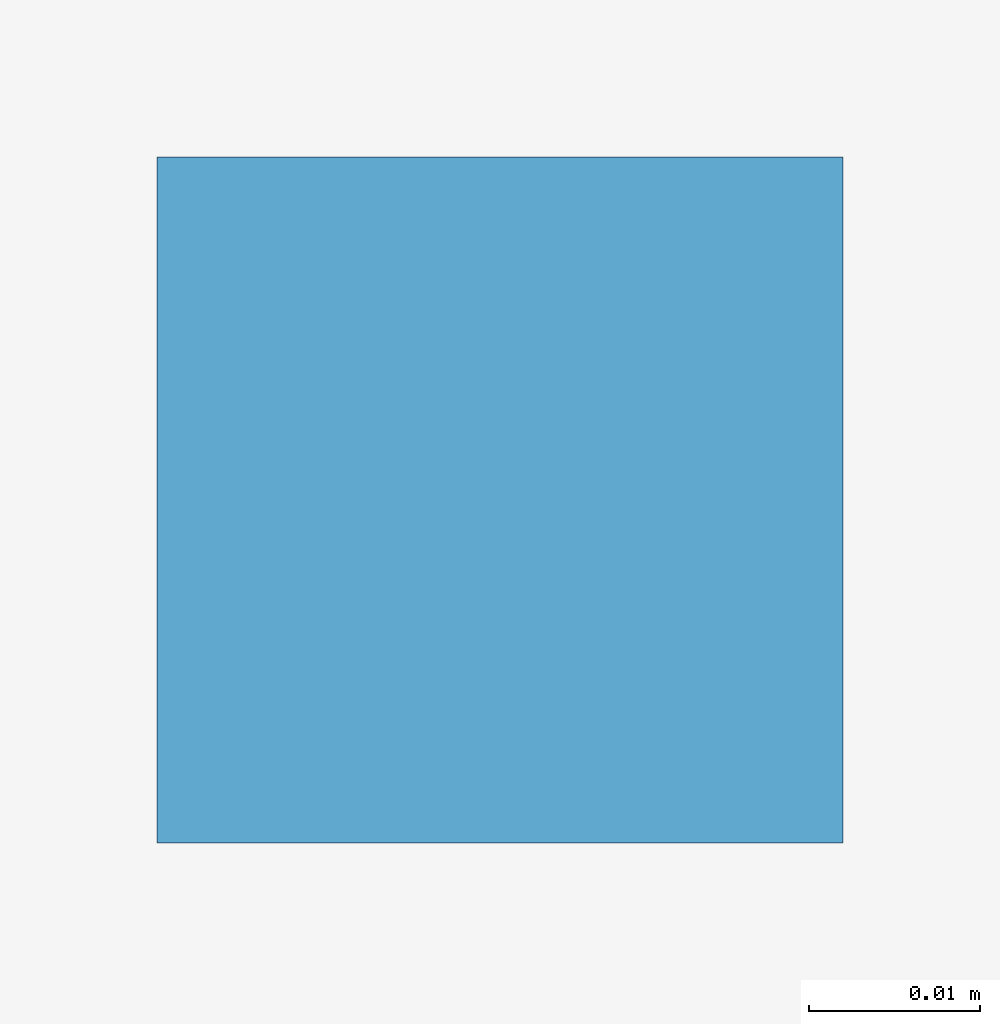
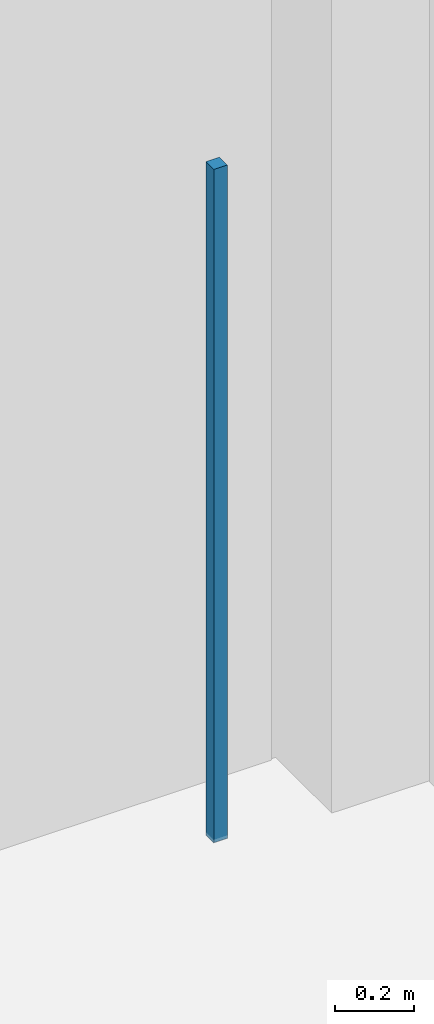
# One storey, part 93 of 167: 1 discrete accessory.
"""IFC4 building model written with IfcOpenShell, lengths in metres."""

from ifc_helpers import new_model, si_unit, direction, frame, origin, origin_2d, place, context, subcontext, project, spatial, rectangle, extrude, material, type_object, element, save


model = new_model("IFC4")

# Units and contexts
model_context = context("Model", 3, precision=1e-05, world=origin(), true_north=direction((0.0, 1.0)))
body_context = subcontext(model_context, "Body", "Model", "MODEL_VIEW")
ifc_project = project(units=[si_unit("LENGTHUNIT", "METRE"), si_unit("AREAUNIT", "SQUARE_METRE"), si_unit("VOLUMEUNIT", "CUBIC_METRE"), si_unit("PLANEANGLEUNIT", "RADIAN"), si_unit("MASSUNIT", "GRAM", prefix="KILO")], contexts=[model_context])

# Site, building, storey
site_placement = place(None, origin())
site = spatial("IfcSite", under=ifc_project, at=site_placement, CompositionType="ELEMENT")
building_placement = place(site_placement, origin())
building = spatial("IfcBuilding", under=site, at=building_placement, Name="Varncliffe General Hospital", CompositionType="ELEMENT")
storey_placement = place(building_placement, origin())
storey = spatial("IfcBuildingStorey", under=building, at=storey_placement, Name="L00", CompositionType="ELEMENT", Elevation=0.0)

# Discrete accessory
ifc_material = material(Name="Powder-coated hospital steel guardrail and handrail", Category="steel")
discrete_accessory_type = type_object("IfcDiscreteAccessoryType", Name="Suspended Ceiling Hanger Bracket CH01", PredefinedType="BRACKET", material=ifc_material)
discrete_accessory_placement = place(storey_placement, frame((114.699951171875, 53.39990234375, 3.18994140625), z_axis=(0.0, 0.0, 1.0), x_axis=(1.0, 0.0, 0.0)))
element("IfcDiscreteAccessory", 1, at=discrete_accessory_placement, inside=storey, type_object=discrete_accessory_type, Name="L00 Suspended Ceiling Hanger 18", PredefinedType="BRACKET", context=body_context, shape_type="SweptSolid", body=[
    extrude(rectangle(XDim=0.0400390625, YDim=0.0400390625, at=origin_2d()), origin(), (0.0, 0.0, 1.0), 2.090087890625),
])

save(model, "model.ifc")
